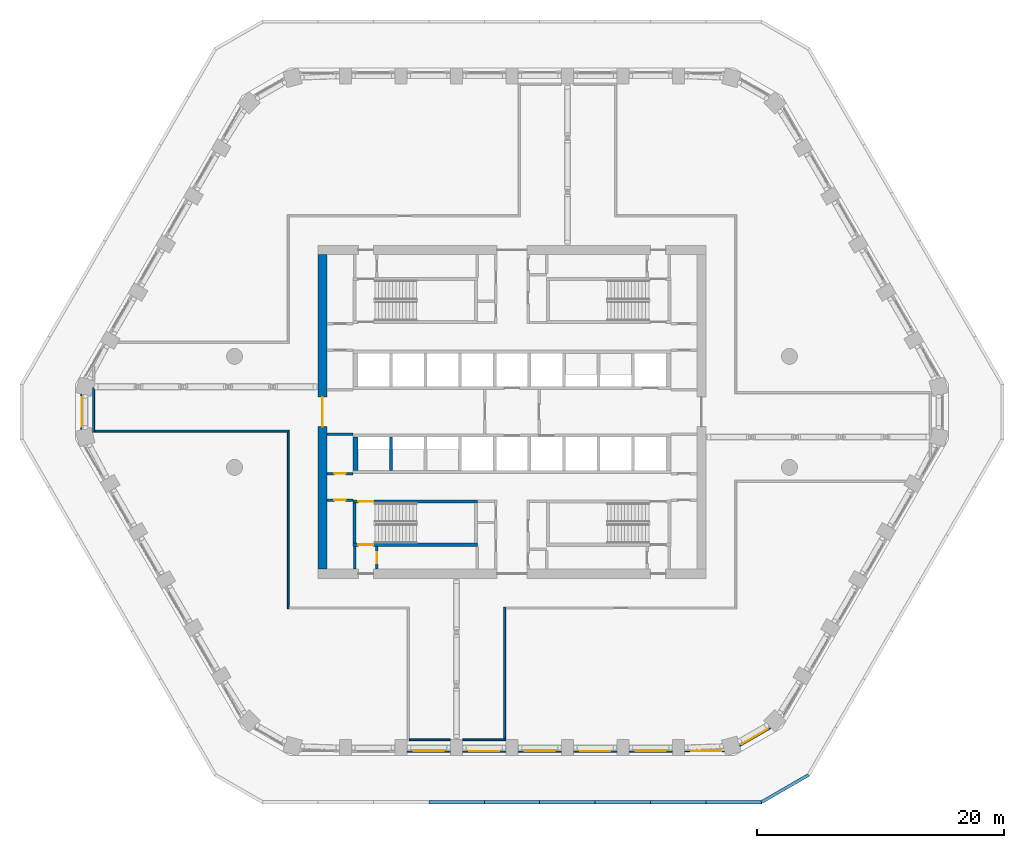
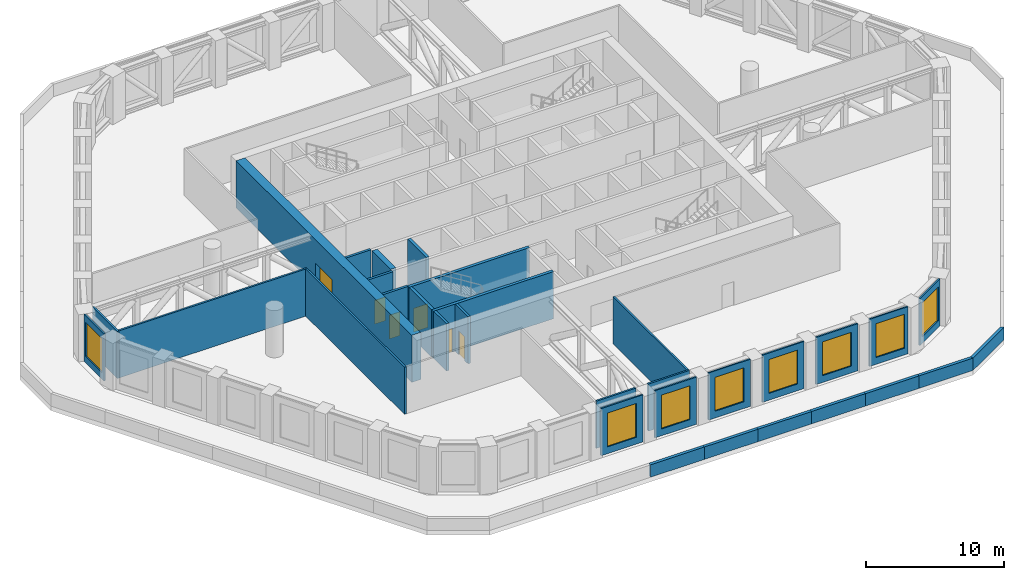
# One storey, part 6 of 18: 32 walls, 8 windows, 6 doors, 14 openings.
"""IFC4 building model written with IfcOpenShell, lengths in metres."""

from ifc_helpers import new_model, si_unit, direction, frame, frame_2d, origin, place, context, subcontext, project, spatial, polyline, rectangle, outline, extrude, material, layer, layer_set, type_object, element, fill, save


model = new_model("IFC4")

# Units and contexts
model_context = context("Model", 3, precision=1e-05, world=origin(), true_north=direction((0.0, 1.0)))
body_context = subcontext(model_context, "Body", "Model", "MODEL_VIEW")
ifc_project = project(units=[si_unit("LENGTHUNIT", "METRE"), si_unit("AREAUNIT", "SQUARE_METRE"), si_unit("VOLUMEUNIT", "CUBIC_METRE"), si_unit("PLANEANGLEUNIT", "RADIAN"), si_unit("MASSUNIT", "GRAM", prefix="KILO")], contexts=[model_context])

# Site, building, storey
site_placement = place(None, origin())
site = spatial("IfcSite", under=ifc_project, at=site_placement, CompositionType="ELEMENT")
building_placement = place(site_placement, origin())
building = spatial("IfcBuilding", under=site, at=building_placement, Name="Dhurran Vertical Campus", CompositionType="ELEMENT")
storey_placement = place(building_placement, frame((0.0, 0.0, 128.10009765625)))
storey = spatial("IfcBuildingStorey", under=building, at=storey_placement, Name="L31 Plant", CompositionType="ELEMENT", Elevation=128.10009765625)

# Wall, opening, window
ifc_material_1 = material(Name="Precast concrete C50/60", Category="concrete")
ifc_layer_1 = layer(ifc_material_1, 0.1201171875)
ifc_layer_set_1 = layer_set([ifc_layer_1], Name="Precast concrete C50/60")
wall_type_1 = type_object("IfcWallType", Name="Precast louvre-bay panel 120", PredefinedType="SOLIDWALL", material=ifc_layer_set_1)
wall_1_placement = place(storey_placement, frame((-8.49951171875, -27.577880859375, 0.0), z_axis=(0.0, 0.0, 1.0), x_axis=(1.0, 0.0, 0.0)))
wall_1 = element("IfcWall", 1, at=wall_1_placement, inside=storey, type_object=wall_type_1, Name="EW4 L31.02", PredefinedType="SOLIDWALL", context=body_context, shape_type="SweptSolid", body=[
    extrude(rectangle(XDim=3.4990234375, YDim=0.1201171875, at=frame_2d((1.74951171875, 0.0))), origin(), (0.0, 0.0, 1.0), 4.1748046875),
])
opening_1_placement = place(wall_1_placement, frame((0.549560546875, 0.0, 0.60009765625)))
opening_1 = element("IfcOpeningElement", 2, at=opening_1_placement, cuts=wall_1, Name="Opening WT4", PredefinedType="OPENING", context=body_context, shape_type="SweptSolid", body=[
    extrude(rectangle(XDim=2.39990234375, YDim=3.0, at=frame_2d((1.199951171875, 1.5))), frame((0.0, 0.070068359375, 0.0), z_axis=(0.0, -1.0, 0.0), x_axis=(1.0, 0.0, 0.0)), (0.0, 0.0, 1.0), 0.14013671875),
])
ifc_material_2 = material(Name="Aluminium louvre", Category="aluminium")
window_type = type_object("IfcWindowType", Name="Louvred plant vent 2400 x 3000", PartitioningType="SINGLE_PANEL", PredefinedType="WINDOW", material=ifc_material_2)
window_1_placement = place(opening_1_placement, origin())
window_1 = element("IfcWindow", 3, at=window_1_placement, inside=storey, type_object=window_type, Name="WT4 L31.02", OverallHeight=3.0, OverallWidth=2.39990234375, PartitioningType="SINGLE_PANEL", PredefinedType="WINDOW", context=body_context, shape_type="SweptSolid", body=[
    extrude(rectangle(XDim=2.39990234375, YDim=3.0, at=frame_2d((1.199951171875, 1.5))), frame((0.0, 0.06005859375, 0.0), z_axis=(0.0, -1.0, 0.0), x_axis=(1.0, 0.0, 0.0)), (0.0, 0.0, 1.0), 0.02001953125),
])
fill(opening_1, window_1)

wall_2_placement = place(storey_placement, frame((-3.99951171875, -27.577880859375, 0.0), z_axis=(0.0, 0.0, 1.0), x_axis=(1.0, 0.0, 0.0)))
wall_2 = element("IfcWall", 4, at=wall_2_placement, inside=storey, type_object=wall_type_1, Name="EW4 L31.03", PredefinedType="SOLIDWALL", context=body_context, shape_type="SweptSolid", body=[
    extrude(rectangle(XDim=3.4990234375, YDim=0.1201171875, at=frame_2d((1.74951171875, 0.0))), origin(), (0.0, 0.0, 1.0), 4.1748046875),
])
opening_2_placement = place(wall_2_placement, frame((0.549560546875, 0.0, 0.60009765625)))
opening_2 = element("IfcOpeningElement", 5, at=opening_2_placement, cuts=wall_2, Name="Opening WT4", PredefinedType="OPENING", context=body_context, shape_type="SweptSolid", body=[
    extrude(rectangle(XDim=2.39990234375, YDim=3.0, at=frame_2d((1.199951171875, 1.5))), frame((0.0, 0.070068359375, 0.0), z_axis=(0.0, -1.0, 0.0), x_axis=(1.0, 0.0, 0.0)), (0.0, 0.0, 1.0), 0.14013671875),
])
window_2_placement = place(opening_2_placement, origin())
window_2 = element("IfcWindow", 6, at=window_2_placement, inside=storey, type_object=window_type, Name="WT4 L31.03", OverallHeight=3.0, OverallWidth=2.39990234375, PartitioningType="SINGLE_PANEL", PredefinedType="WINDOW", context=body_context, shape_type="SweptSolid", body=[
    extrude(rectangle(XDim=2.39990234375, YDim=3.0, at=frame_2d((1.199951171875, 1.5))), frame((0.0, 0.06005859375, 0.0), z_axis=(0.0, -1.0, 0.0), x_axis=(1.0, 0.0, 0.0)), (0.0, 0.0, 1.0), 0.02001953125),
])
fill(opening_2, window_2)

wall_3_placement = place(storey_placement, frame((0.50048828125, -27.577880859375, 0.0), z_axis=(0.0, 0.0, 1.0), x_axis=(1.0, 0.0, 0.0)))
wall_3 = element("IfcWall", 7, at=wall_3_placement, inside=storey, type_object=wall_type_1, Name="EW4 L31.04", PredefinedType="SOLIDWALL", context=body_context, shape_type="SweptSolid", body=[
    extrude(rectangle(XDim=3.4990234375, YDim=0.1201171875, at=frame_2d((1.74951171875, 0.0))), origin(), (0.0, 0.0, 1.0), 4.1748046875),
])
opening_3_placement = place(wall_3_placement, frame((0.549560546875, 0.0, 0.60009765625)))
opening_3 = element("IfcOpeningElement", 8, at=opening_3_placement, cuts=wall_3, Name="Opening WT4", PredefinedType="OPENING", context=body_context, shape_type="SweptSolid", body=[
    extrude(rectangle(XDim=2.39990234375, YDim=3.0, at=frame_2d((1.199951171875, 1.5))), frame((0.0, 0.070068359375, 0.0), z_axis=(0.0, -1.0, 0.0), x_axis=(1.0, 0.0, 0.0)), (0.0, 0.0, 1.0), 0.14013671875),
])
window_3_placement = place(opening_3_placement, origin())
window_3 = element("IfcWindow", 9, at=window_3_placement, inside=storey, type_object=window_type, Name="WT4 L31.04", OverallHeight=3.0, OverallWidth=2.39990234375, PartitioningType="SINGLE_PANEL", PredefinedType="WINDOW", context=body_context, shape_type="SweptSolid", body=[
    extrude(rectangle(XDim=2.39990234375, YDim=3.0, at=frame_2d((1.199951171875, 1.5))), frame((0.0, 0.06005859375, 0.0), z_axis=(0.0, -1.0, 0.0), x_axis=(1.0, 0.0, 0.0)), (0.0, 0.0, 1.0), 0.02001953125),
])
fill(opening_3, window_3)

wall_4_placement = place(storey_placement, frame((5.00048828125, -27.577880859375, 0.0), z_axis=(0.0, 0.0, 1.0), x_axis=(1.0, 0.0, 0.0)))
wall_4 = element("IfcWall", 10, at=wall_4_placement, inside=storey, type_object=wall_type_1, Name="EW4 L31.05", PredefinedType="SOLIDWALL", context=body_context, shape_type="SweptSolid", body=[
    extrude(rectangle(XDim=3.4990234375, YDim=0.1201171875, at=frame_2d((1.74951171875, 0.0))), origin(), (0.0, 0.0, 1.0), 4.1748046875),
])
opening_4_placement = place(wall_4_placement, frame((0.549560546875, 0.0, 0.60009765625)))
opening_4 = element("IfcOpeningElement", 11, at=opening_4_placement, cuts=wall_4, Name="Opening WT4", PredefinedType="OPENING", context=body_context, shape_type="SweptSolid", body=[
    extrude(rectangle(XDim=2.39990234375, YDim=3.0, at=frame_2d((1.199951171875, 1.5))), frame((0.0, 0.070068359375, 0.0), z_axis=(0.0, -1.0, 0.0), x_axis=(1.0, 0.0, 0.0)), (0.0, 0.0, 1.0), 0.14013671875),
])
window_4_placement = place(opening_4_placement, origin())
window_4 = element("IfcWindow", 12, at=window_4_placement, inside=storey, type_object=window_type, Name="WT4 L31.05", OverallHeight=3.0, OverallWidth=2.39990234375, PartitioningType="SINGLE_PANEL", PredefinedType="WINDOW", context=body_context, shape_type="SweptSolid", body=[
    extrude(rectangle(XDim=2.39990234375, YDim=3.0, at=frame_2d((1.199951171875, 1.5))), frame((0.0, 0.06005859375, 0.0), z_axis=(0.0, -1.0, 0.0), x_axis=(1.0, 0.0, 0.0)), (0.0, 0.0, 1.0), 0.02001953125),
])
fill(opening_4, window_4)

wall_5_placement = place(storey_placement, frame((9.50048828125, -27.577880859375, 0.0), z_axis=(0.0, 0.0, 1.0), x_axis=(1.0, 0.0, 0.0)))
wall_5 = element("IfcWall", 13, at=wall_5_placement, inside=storey, type_object=wall_type_1, Name="EW4 L31.06", PredefinedType="SOLIDWALL", context=body_context, shape_type="SweptSolid", body=[
    extrude(rectangle(XDim=3.4990234375, YDim=0.1201171875, at=frame_2d((1.74951171875, 0.0))), origin(), (0.0, 0.0, 1.0), 4.1748046875),
])
opening_5_placement = place(wall_5_placement, frame((0.549560546875, 0.0, 0.60009765625)))
opening_5 = element("IfcOpeningElement", 14, at=opening_5_placement, cuts=wall_5, Name="Opening WT4", PredefinedType="OPENING", context=body_context, shape_type="SweptSolid", body=[
    extrude(rectangle(XDim=2.39990234375, YDim=3.0, at=frame_2d((1.199951171875, 1.5))), frame((0.0, 0.070068359375, 0.0), z_axis=(0.0, -1.0, 0.0), x_axis=(1.0, 0.0, 0.0)), (0.0, 0.0, 1.0), 0.14013671875),
])
window_5_placement = place(opening_5_placement, origin())
window_5 = element("IfcWindow", 15, at=window_5_placement, inside=storey, type_object=window_type, Name="WT4 L31.06", OverallHeight=3.0, OverallWidth=2.39990234375, PartitioningType="SINGLE_PANEL", PredefinedType="WINDOW", context=body_context, shape_type="SweptSolid", body=[
    extrude(rectangle(XDim=2.39990234375, YDim=3.0, at=frame_2d((1.199951171875, 1.5))), frame((0.0, 0.06005859375, 0.0), z_axis=(0.0, -1.0, 0.0), x_axis=(1.0, 0.0, 0.0)), (0.0, 0.0, 1.0), 0.02001953125),
])
fill(opening_5, window_5)

wall_6_placement = place(storey_placement, frame((14.00048828125, -27.538818359375, 0.0), z_axis=(0.0, 0.0, 1.0), x_axis=(1.0, 0.0, 0.0)))
wall_6 = element("IfcWall", 16, at=wall_6_placement, inside=storey, type_object=wall_type_1, Name="EW4 L31.07", PredefinedType="SOLIDWALL", context=body_context, shape_type="SweptSolid", body=[
    extrude(rectangle(XDim=3.218017578125, YDim=0.1201171875, at=frame_2d((1.60888671875, 0.0))), origin(), (0.0, 0.0, 1.0), 4.1748046875),
])
opening_6_placement = place(wall_6_placement, frame((0.549560546875, 0.0, 0.60009765625)))
opening_6 = element("IfcOpeningElement", 17, at=opening_6_placement, cuts=wall_6, Name="Opening WT4", PredefinedType="OPENING", context=body_context, shape_type="SweptSolid", body=[
    extrude(rectangle(XDim=2.39990234375, YDim=3.0, at=frame_2d((1.199951171875, 1.5))), frame((0.0, 0.070068359375, 0.0), z_axis=(0.0, -1.0, 0.0), x_axis=(1.0, 0.0, 0.0)), (0.0, 0.0, 1.0), 0.14013671875),
])
window_6_placement = place(opening_6_placement, origin())
window_6 = element("IfcWindow", 18, at=window_6_placement, inside=storey, type_object=window_type, Name="WT4 L31.07", OverallHeight=3.0, OverallWidth=2.39990234375, PartitioningType="SINGLE_PANEL", PredefinedType="WINDOW", context=body_context, shape_type="SweptSolid", body=[
    extrude(rectangle(XDim=2.39990234375, YDim=3.0, at=frame_2d((1.199951171875, 1.5))), frame((0.0, 0.06005859375, 0.0), z_axis=(0.0, -1.0, 0.0), x_axis=(1.0, 0.0, 0.0)), (0.0, 0.0, 1.0), 0.02001953125),
])
fill(opening_6, window_6)

wall_7_placement = place(storey_placement, frame((18.47607421875, -27.087158203125, 0.0), z_axis=(0.0, 0.0, 1.0), x_axis=(0.866033125095, 0.499986626058, 0.0)))
wall_7 = element("IfcWall", 19, at=wall_7_placement, inside=storey, type_object=wall_type_1, Name="EW4 L31.08", PredefinedType="SOLIDWALL", context=body_context, shape_type="SweptSolid", body=[
    extrude(rectangle(XDim=2.8798828125, YDim=0.1201171875, at=frame_2d((1.43994140625, 0.0))), origin(), (0.0, 0.0, 1.0), 4.1748046875),
])
opening_7_placement = place(wall_7_placement, frame((0.239990234375, 0.0, 0.60009765625)))
opening_7 = element("IfcOpeningElement", 20, at=opening_7_placement, cuts=wall_7, Name="Opening WT4", PredefinedType="OPENING", context=body_context, shape_type="SweptSolid", body=[
    extrude(rectangle(XDim=2.39990234375, YDim=3.0, at=frame_2d((1.199951171875, 1.5))), frame((0.0, 0.070068359375, 0.0), z_axis=(0.0, -1.0, 0.0), x_axis=(1.0, 0.0, 0.0)), (0.0, 0.0, 1.0), 0.14013671875),
])
window_7_placement = place(opening_7_placement, origin())
window_7 = element("IfcWindow", 21, at=window_7_placement, inside=storey, type_object=window_type, Name="WT4 L31.08", OverallHeight=3.0, OverallWidth=2.39990234375, PartitioningType="SINGLE_PANEL", PredefinedType="WINDOW", context=body_context, shape_type="SweptSolid", body=[
    extrude(rectangle(XDim=2.39990234375, YDim=3.0, at=frame_2d((1.199951171875, 1.5))), frame((0.0, 0.06005859375, 0.0), z_axis=(0.0, -1.0, 0.0), x_axis=(1.0, 0.0, 0.0)), (0.0, 0.0, 1.0), 0.02001953125),
])
fill(opening_7, window_7)

wall_8_placement = place(storey_placement, frame((-34.9462890625, 1.43994140625, 0.0), z_axis=(0.0, 0.0, 1.0), x_axis=(0.0, -1.0, 0.0)))
wall_8 = element("IfcWall", 22, at=wall_8_placement, inside=storey, type_object=wall_type_1, Name="EW4 L31.38", PredefinedType="SOLIDWALL", context=body_context, shape_type="SweptSolid", body=[
    extrude(rectangle(XDim=2.8798828125, YDim=0.1201171875, at=frame_2d((1.43994140625, 0.0))), origin(), (0.0, 0.0, 1.0), 4.1748046875),
])
opening_8_placement = place(wall_8_placement, frame((0.239990234375, 0.0, 0.60009765625)))
opening_8 = element("IfcOpeningElement", 23, at=opening_8_placement, cuts=wall_8, Name="Opening WT4", PredefinedType="OPENING", context=body_context, shape_type="SweptSolid", body=[
    extrude(rectangle(XDim=2.39990234375, YDim=3.0, at=frame_2d((1.199951171875, 1.5))), frame((0.0, 0.070068359375, 0.0), z_axis=(0.0, -1.0, 0.0), x_axis=(1.0, 0.0, 0.0)), (0.0, 0.0, 1.0), 0.14013671875),
])
window_8_placement = place(opening_8_placement, origin())
window_8 = element("IfcWindow", 24, at=window_8_placement, inside=storey, type_object=window_type, Name="WT4 L31.38", OverallHeight=3.0, OverallWidth=2.39990234375, PartitioningType="SINGLE_PANEL", PredefinedType="WINDOW", context=body_context, shape_type="SweptSolid", body=[
    extrude(rectangle(XDim=2.39990234375, YDim=3.0, at=frame_2d((1.199951171875, 1.5))), frame((0.0, 0.06005859375, 0.0), z_axis=(0.0, -1.0, 0.0), x_axis=(1.0, 0.0, 0.0)), (0.0, 0.0, 1.0), 0.02001953125),
])
fill(opening_8, window_8)

# Walls
ifc_material_3 = material(Name="Precast concrete C50/60", Category="concrete")
ifc_layer_2 = layer(ifc_material_3, 0.25)
ifc_layer_set_2 = layer_set([ifc_layer_2], Name="Precast concrete C50/60")
wall_type_2 = type_object("IfcWallType", Name="Precast parapet 250", PredefinedType="PARAPET", material=ifc_layer_set_2)
wall_9_placement = place(storey_placement, origin())
element("IfcWall", 25, at=wall_9_placement, inside=storey, type_object=wall_type_2, Name="PW1 L31.03", PredefinedType="PARAPET", context=body_context, shape_type="SweptSolid", body=[
    extrude(outline(polyline([(-6.75, -31.77978515625), (-2.25, -31.77978515625), (-2.25, -31.52978515625), (-6.75, -31.52978515625), (-6.75, -31.77978515625)])), origin(), (0.0, 0.0, 1.0), 1.099853515625),
])
wall_10_placement = place(storey_placement, origin())
element("IfcWall", 26, at=wall_10_placement, inside=storey, type_object=wall_type_2, Name="PW1 L31.04", PredefinedType="PARAPET", context=body_context, shape_type="SweptSolid", body=[
    extrude(outline(polyline([(-2.25, -31.77978515625), (2.25, -31.77978515625), (2.25, -31.52978515625), (-2.25, -31.52978515625), (-2.25, -31.77978515625)])), origin(), (0.0, 0.0, 1.0), 1.099853515625),
])
wall_11_placement = place(storey_placement, origin())
element("IfcWall", 27, at=wall_11_placement, inside=storey, type_object=wall_type_2, Name="PW1 L31.05", PredefinedType="PARAPET", context=body_context, shape_type="SweptSolid", body=[
    extrude(outline(polyline([(2.25, -31.77978515625), (6.75, -31.77978515625), (6.75, -31.52978515625), (2.25, -31.52978515625), (2.25, -31.77978515625)])), origin(), (0.0, 0.0, 1.0), 1.099853515625),
])
wall_12_placement = place(storey_placement, origin())
element("IfcWall", 28, at=wall_12_placement, inside=storey, type_object=wall_type_2, Name="PW1 L31.06", PredefinedType="PARAPET", context=body_context, shape_type="SweptSolid", body=[
    extrude(outline(polyline([(6.75, -31.77978515625), (11.25, -31.77978515625), (11.25, -31.52978515625), (6.75, -31.52978515625), (6.75, -31.77978515625)])), origin(), (0.0, 0.0, 1.0), 1.099853515625),
])
wall_13_placement = place(storey_placement, origin())
element("IfcWall", 29, at=wall_13_placement, inside=storey, type_object=wall_type_2, Name="PW1 L31.07", PredefinedType="PARAPET", context=body_context, shape_type="SweptSolid", body=[
    extrude(outline(polyline([(11.25, -31.77978515625), (15.75, -31.77978515625), (15.75, -31.52978515625), (11.25, -31.52978515625), (11.25, -31.77978515625)])), origin(), (0.0, 0.0, 1.0), 1.099853515625),
])
wall_14_placement = place(storey_placement, origin())
element("IfcWall", 30, at=wall_14_placement, inside=storey, type_object=wall_type_2, Name="PW1 L31.08", PredefinedType="PARAPET", context=body_context, shape_type="SweptSolid", body=[
    extrude(outline(polyline([(15.75, -31.77978515625), (20.25, -31.77978515625), (20.18310546875, -31.52978515625), (15.75, -31.52978515625), (15.75, -31.77978515625)])), origin(), (0.0, 0.0, 1.0), 1.099853515625),
])
wall_15_placement = place(storey_placement, origin())
element("IfcWall", 31, at=wall_15_placement, inside=storey, type_object=wall_type_2, Name="PW1 L31.09", PredefinedType="PARAPET", context=body_context, shape_type="SweptSolid", body=[
    extrude(outline(polyline([(20.25, -31.77978515625), (24.147216796875, -29.52978515625), (23.964111328125, -29.3466796875), (20.18310546875, -31.52978515625), (20.25, -31.77978515625)])), origin(), (0.0, 0.0, 1.0), 1.099853515625),
])

# Wall, opening, door
ifc_material_4 = material(Name="Concrete C60/75", Category="concrete")
ifc_layer_3 = layer(ifc_material_4, 0.75)
ifc_layer_set_3 = layer_set([ifc_layer_3], Name="Concrete C60/75")
wall_type_3 = type_object("IfcWallType", Name="co-CORE-WALL-C1-750", PredefinedType="SHEAR", material=ifc_layer_set_3)
wall_16_placement = place(storey_placement, frame((-15.375, -12.75, 0.0), z_axis=(0.0, 0.0, 1.0), x_axis=(0.0, 1.0, 0.0)))
wall_16 = element("IfcWall", 32, at=wall_16_placement, inside=storey, type_object=wall_type_3, Name="Core wall W L31", PredefinedType="SHEAR", context=body_context, shape_type="SweptSolid", body=[
    extrude(rectangle(XDim=25.5, YDim=0.75, at=frame_2d((12.75, 0.0))), origin(), (0.0, 0.0, 1.0), 4.1748046875),
])
opening_9_placement = place(wall_16_placement, frame((11.550048828125, 0.0, 0.0)))
opening_9 = element("IfcOpeningElement", 33, at=opening_9_placement, cuts=wall_16, Name="Opening CL1", PredefinedType="OPENING", context=body_context, shape_type="SweptSolid", body=[
    extrude(rectangle(XDim=2.39990234375, YDim=2.10009765625, at=frame_2d((1.199951171875, 1.050048828125))), frame((0.0, 0.385009765625, 0.0), z_axis=(0.0, -1.0, 0.0), x_axis=(1.0, 0.0, 0.0)), (0.0, 0.0, 1.0), 0.77001953125),
])
ifc_material_5 = material(Name="Fire-rated glazed door set")
door_type_1 = type_object("IfcDoorType", Name="co-D-LOBBY 2400x2100", OperationType="DOUBLE_DOOR_DOUBLE_SWING", PredefinedType="DOOR", material=ifc_material_5)
door_1_placement = place(opening_9_placement, origin())
door_1 = element("IfcDoor", 34, at=door_1_placement, inside=storey, type_object=door_type_1, Name="Lift lobby door W L31", OperationType="DOUBLE_DOOR_DOUBLE_SWING", OverallHeight=2.10009765625, OverallWidth=2.39990234375, PredefinedType="DOOR", context=body_context, shape_type="SweptSolid", body=[
    extrude(rectangle(XDim=2.39990234375, YDim=2.10009765625, at=frame_2d((1.199951171875, 1.050048828125))), frame((0.0, 0.02490234375, 0.0), z_axis=(0.0, -1.0, 0.0), x_axis=(1.0, 0.0, 0.0)), (0.0, 0.0, 1.0), 0.050048828125),
])
fill(opening_9, door_1)

# Wall
ifc_material_6 = material(Name="Fire-rated masonry blockwork", Category="masonry")
ifc_layer_4 = layer(ifc_material_6, 0.199951171875)
ifc_layer_set_4 = layer_set([ifc_layer_4], Name="Fire-rated masonry blockwork")
wall_type_4 = type_object("IfcWallType", Name="co-FIRE-PARTITION-200", PredefinedType="PARTITIONING", material=ifc_layer_set_4)
wall_17_placement = place(storey_placement, frame((-12.75, -12.75, 0.0), z_axis=(0.0, 0.0, 1.0), x_axis=(0.0, 1.0, 0.0)))
element("IfcWall", 35, at=wall_17_placement, inside=storey, type_object=wall_type_4, Name="Core partition pass-ST3-o L31", PredefinedType="PARTITIONING", context=body_context, shape_type="SweptSolid", body=[
    extrude(rectangle(XDim=1.85009765625, YDim=0.199951171875, at=frame_2d((0.925048828125, 0.0))), origin(), (0.0, 0.0, 1.0), 4.1748046875),
])

# Wall, opening, door
wall_18_placement = place(storey_placement, frame((-10.949951171875, -12.75, 0.0), z_axis=(0.0, 0.0, 1.0), x_axis=(0.0, 1.0, 0.0)))
wall_18 = element("IfcWall", 36, at=wall_18_placement, inside=storey, type_object=wall_type_4, Name="Core partition pass-ST3-i L31", PredefinedType="PARTITIONING", context=body_context, shape_type="SweptSolid", body=[
    extrude(rectangle(XDim=1.85009765625, YDim=0.199951171875, at=frame_2d((0.925048828125, 0.0))), origin(), (0.0, 0.0, 1.0), 4.1748046875),
])
opening_10_placement = place(wall_18_placement, frame((0.47509765625, 0.0, 0.0)))
opening_10 = element("IfcOpeningElement", 37, at=opening_10_placement, cuts=wall_18, Name="Opening BR31-C11", PredefinedType="OPENING", context=body_context, shape_type="SweptSolid", body=[
    extrude(rectangle(XDim=0.89990234375, YDim=2.10009765625, at=frame_2d((0.449951171875, 1.050048828125))), frame((0.0, 0.10986328125, 0.0), z_axis=(0.0, -1.0, 0.0), x_axis=(1.0, 0.0, 0.0)), (0.0, 0.0, 1.0), 0.219970703125),
])
ifc_material_7 = material(Name="Fire-rated timber door set", Category="wood")
door_type_2 = type_object("IfcDoorType", Name="co-D-ROOM 900x2100", OperationType="SINGLE_SWING_LEFT", PredefinedType="DOOR", material=ifc_material_7)
door_2_placement = place(opening_10_placement, origin())
door_2 = element("IfcDoor", 38, at=door_2_placement, inside=storey, type_object=door_type_2, Name="Riser room door L31", OperationType="SINGLE_SWING_LEFT", OverallHeight=2.10009765625, OverallWidth=0.89990234375, PredefinedType="DOOR", context=body_context, shape_type="SweptSolid", body=[
    extrude(rectangle(XDim=0.89990234375, YDim=2.10009765625, at=frame_2d((0.449951171875, 1.050048828125))), frame((0.0, 0.02490234375, 0.0), z_axis=(0.0, -1.0, 0.0), x_axis=(1.0, 0.0, 0.0)), (0.0, 0.0, 1.0), 0.050048828125),
])
fill(opening_10, door_2)

wall_19_placement = place(storey_placement, frame((-15.0, -7.14990234375, 0.0), z_axis=(0.0, 0.0, 1.0), x_axis=(1.0, 0.0, 0.0)))
wall_19 = element("IfcWall", 39, at=wall_19_placement, inside=storey, type_object=wall_type_4, Name="Core partition en-SW-w L31", PredefinedType="PARTITIONING", context=body_context, shape_type="SweptSolid", body=[
    extrude(rectangle(XDim=2.10009765625, YDim=0.199951171875, at=frame_2d((1.050048828125, 0.0))), origin(), (0.0, 0.0, 1.0), 4.1748046875),
])
opening_11_placement = place(wall_19_placement, frame((0.60009765625, 0.0, 0.0)))
opening_11 = element("IfcOpeningElement", 40, at=opening_11_placement, cuts=wall_19, Name="Opening BR31-C17", PredefinedType="OPENING", context=body_context, shape_type="SweptSolid", body=[
    extrude(rectangle(XDim=0.89990234375, YDim=2.10009765625, at=frame_2d((0.449951171875, 1.050048828125))), frame((0.0, 0.10986328125, 0.0), z_axis=(0.0, -1.0, 0.0), x_axis=(1.0, 0.0, 0.0)), (0.0, 0.0, 1.0), 0.219970703125),
])
door_3_placement = place(opening_11_placement, origin())
door_3 = element("IfcDoor", 41, at=door_3_placement, inside=storey, type_object=door_type_2, Name="Heat exchanger plant room door L31", OperationType="SINGLE_SWING_LEFT", OverallHeight=2.10009765625, OverallWidth=0.89990234375, PredefinedType="DOOR", context=body_context, shape_type="SweptSolid", body=[
    extrude(rectangle(XDim=0.89990234375, YDim=2.10009765625, at=frame_2d((0.449951171875, 1.050048828125))), frame((0.0, 0.02490234375, 0.0), z_axis=(0.0, -1.0, 0.0), x_axis=(1.0, 0.0, 0.0)), (0.0, 0.0, 1.0), 0.050048828125),
])
fill(opening_11, door_3)

wall_20_placement = place(storey_placement, frame((-15.0, -5.0, 0.0), z_axis=(0.0, 0.0, 1.0), x_axis=(1.0, 0.0, 0.0)))
wall_20 = element("IfcWall", 42, at=wall_20_placement, inside=storey, type_object=wall_type_4, Name="Core partition es-SW-w L31", PredefinedType="PARTITIONING", context=body_context, shape_type="SweptSolid", body=[
    extrude(rectangle(XDim=2.10009765625, YDim=0.199951171875, at=frame_2d((1.050048828125, 0.0))), origin(), (0.0, 0.0, 1.0), 4.1748046875),
])
opening_12_placement = place(wall_20_placement, frame((0.60009765625, 0.0, 0.0)))
opening_12 = element("IfcOpeningElement", 43, at=opening_12_placement, cuts=wall_20, Name="Opening BR31-C18", PredefinedType="OPENING", context=body_context, shape_type="SweptSolid", body=[
    extrude(rectangle(XDim=0.89990234375, YDim=2.10009765625, at=frame_2d((0.449951171875, 1.050048828125))), frame((0.0, 0.10986328125, 0.0), z_axis=(0.0, -1.0, 0.0), x_axis=(1.0, 0.0, 0.0)), (0.0, 0.0, 1.0), 0.219970703125),
])
door_4_placement = place(opening_12_placement, origin())
door_4 = element("IfcDoor", 44, at=door_4_placement, inside=storey, type_object=door_type_2, Name="Water tank room door L31", OperationType="SINGLE_SWING_LEFT", OverallHeight=2.10009765625, OverallWidth=0.89990234375, PredefinedType="DOOR", context=body_context, shape_type="SweptSolid", body=[
    extrude(rectangle(XDim=0.89990234375, YDim=2.10009765625, at=frame_2d((0.449951171875, 1.050048828125))), frame((0.0, 0.02490234375, 0.0), z_axis=(0.0, -1.0, 0.0), x_axis=(1.0, 0.0, 0.0)), (0.0, 0.0, 1.0), 0.050048828125),
])
fill(opening_12, door_4)

# Walls
wall_21_placement = place(storey_placement, frame((-15.0, -1.800048828125, 0.0), z_axis=(0.0, 0.0, 1.0), x_axis=(1.0, 0.0, 0.0)))
element("IfcWall", 45, at=wall_21_placement, inside=storey, type_object=wall_type_4, Name="Core partition es-SW-l L31", PredefinedType="PARTITIONING", context=body_context, shape_type="SweptSolid", body=[
    extrude(rectangle(XDim=2.10009765625, YDim=0.199951171875, at=frame_2d((1.050048828125, 0.0))), origin(), (0.0, 0.0, 1.0), 4.1748046875),
])
ifc_material_8 = material(Name="Concrete C50/60", Category="concrete")
ifc_layer_5 = layer(ifc_material_8, 0.25)
ifc_layer_set_5 = layer_set([ifc_layer_5], Name="Concrete C50/60")
wall_type_5 = type_object("IfcWallType", Name="co-SHAFT-MASS-250", PredefinedType="SHEAR", material=ifc_layer_set_5)
wall_22_placement = place(storey_placement, origin())
element("IfcWall", 46, at=wall_22_placement, inside=storey, type_object=wall_type_5, Name="Lift shaft wall S L31 2", PredefinedType="SHEAR", context=body_context, shape_type="SweptSolid", body=[
    extrude(outline(polyline([(-12.89990234375, -4.75), (-12.47509765625, -4.75), (-12.47509765625, -2.050048828125), (-12.89990234375, -2.050048828125), (-12.89990234375, -4.75)])), origin(), (0.0, 0.0, 1.0), 4.1748046875),
])
wall_23_placement = place(storey_placement, origin())
element("IfcWall", 47, at=wall_23_placement, inside=storey, type_object=wall_type_5, Name="Lift shaft wall S L31 3", PredefinedType="SHEAR", context=body_context, shape_type="SweptSolid", body=[
    extrude(outline(polyline([(-9.925048828125, -4.75), (-9.675048828125, -4.75), (-9.675048828125, -2.050048828125), (-9.925048828125, -2.050048828125), (-9.925048828125, -4.75)])), origin(), (0.0, 0.0, 1.0), 4.1748046875),
])

# Wall, opening, door
ifc_material_9 = material(Name="Concrete C40/50", Category="concrete")
ifc_layer_6 = layer(ifc_material_9, 0.25)
ifc_layer_set_6 = layer_set([ifc_layer_6], Name="Concrete C40/50")
wall_type_6 = type_object("IfcWallType", Name="co-STAIR-WALL-250", PredefinedType="SHEAR", material=ifc_layer_set_6)
wall_24_placement = place(storey_placement, frame((-12.89990234375, -10.77490234375, 0.0), z_axis=(0.0, 0.0, 1.0), x_axis=(1.0, 0.0, 0.0)))
wall_24 = element("IfcWall", 48, at=wall_24_placement, inside=storey, type_object=wall_type_6, Name="Stair ST3 enclosure wall L31", PredefinedType="SHEAR", context=body_context, shape_type="SweptSolid", body=[
    extrude(rectangle(XDim=10.099853515625, YDim=0.25, at=frame_2d((5.0498046875, 0.0))), origin(), (0.0, 0.0, 1.0), 4.1748046875),
])
opening_13_placement = place(wall_24_placement, frame((0.449951171875, 0.0, 0.0)))
opening_13 = element("IfcOpeningElement", 49, at=opening_13_placement, cuts=wall_24, Name="Opening XS3", PredefinedType="OPENING", context=body_context, shape_type="SweptSolid", body=[
    extrude(rectangle(XDim=1.199951171875, YDim=2.10009765625, at=frame_2d((0.60009765625, 1.050048828125))), frame((0.0, 0.135009765625, 0.0), z_axis=(0.0, -1.0, 0.0), x_axis=(1.0, 0.0, 0.0)), (0.0, 0.0, 1.0), 0.27001953125),
])
ifc_material_10 = material(Name="Fire-rated steel door set", Category="steel")
door_type_3 = type_object("IfcDoorType", Name="co-D-STAIR-EXIT 1200x2100", OperationType="SINGLE_SWING_RIGHT", PredefinedType="DOOR", material=ifc_material_10)
door_5_placement = place(opening_13_placement, origin())
door_5 = element("IfcDoor", 50, at=door_5_placement, inside=storey, type_object=door_type_3, Name="Stair ST3 discharge door L31", OperationType="SINGLE_SWING_RIGHT", OverallHeight=2.10009765625, OverallWidth=1.199951171875, PredefinedType="DOOR", context=body_context, shape_type="SweptSolid", body=[
    extrude(rectangle(XDim=1.199951171875, YDim=2.10009765625, at=frame_2d((0.60009765625, 1.050048828125))), frame((0.0, 0.02490234375, 0.0), z_axis=(0.0, -1.0, 0.0), x_axis=(1.0, 0.0, 0.0)), (0.0, 0.0, 1.0), 0.050048828125),
])
fill(opening_13, door_5)

wall_25_placement = place(storey_placement, frame((-12.89990234375, -7.27490234375, 0.0), z_axis=(0.0, 0.0, 1.0), x_axis=(1.0, 0.0, 0.0)))
wall_25 = element("IfcWall", 51, at=wall_25_placement, inside=storey, type_object=wall_type_6, Name="Stair ST3 enclosure wall L31", PredefinedType="SHEAR", context=body_context, shape_type="SweptSolid", body=[
    extrude(rectangle(XDim=10.099853515625, YDim=0.25, at=frame_2d((5.0498046875, 0.0))), origin(), (0.0, 0.0, 1.0), 4.1748046875),
])
opening_14_placement = place(wall_25_placement, frame((0.449951171875, 0.0, 0.0)))
opening_14 = element("IfcOpeningElement", 52, at=opening_14_placement, cuts=wall_25, Name="Opening SD3", PredefinedType="OPENING", context=body_context, shape_type="SweptSolid", body=[
    extrude(rectangle(XDim=1.199951171875, YDim=2.10009765625, at=frame_2d((0.60009765625, 1.050048828125))), frame((0.0, 0.135009765625, 0.0), z_axis=(0.0, -1.0, 0.0), x_axis=(1.0, 0.0, 0.0)), (0.0, 0.0, 1.0), 0.27001953125),
])
ifc_material_11 = material(Name="Fire-rated steel door set", Category="steel")
door_type_4 = type_object("IfcDoorType", Name="co-D-STAIR 1200x2100", OperationType="SINGLE_SWING_LEFT", PredefinedType="DOOR", material=ifc_material_11)
door_6_placement = place(opening_14_placement, origin())
door_6 = element("IfcDoor", 53, at=door_6_placement, inside=storey, type_object=door_type_4, Name="Stair ST3 door L31", OperationType="SINGLE_SWING_LEFT", OverallHeight=2.10009765625, OverallWidth=1.199951171875, PredefinedType="DOOR", context=body_context, shape_type="SweptSolid", body=[
    extrude(rectangle(XDim=1.199951171875, YDim=2.10009765625, at=frame_2d((0.60009765625, 1.050048828125))), frame((0.0, 0.02490234375, 0.0), z_axis=(0.0, -1.0, 0.0), x_axis=(1.0, 0.0, 0.0)), (0.0, 0.0, 1.0), 0.050048828125),
])
fill(opening_14, door_6)

# Walls
wall_26_placement = place(storey_placement, frame((-12.77490234375, -10.64990234375, 0.0), z_axis=(0.0, 0.0, 1.0), x_axis=(0.0, 1.0, 0.0)))
element("IfcWall", 54, at=wall_26_placement, inside=storey, type_object=wall_type_6, Name="Stair ST3 enclosure wall L31", PredefinedType="SHEAR", context=body_context, shape_type="SweptSolid", body=[
    extrude(rectangle(XDim=3.25, YDim=0.25, at=frame_2d((1.625, 0.0))), origin(), (0.0, 0.0, 1.0), 4.1748046875),
])
ifc_material_12 = material(Name="Gypsum board corridor wall on steel studs", Category="steel")
ifc_layer_7 = layer(ifc_material_12, 0.14990234375)
ifc_layer_set_7 = layer_set([ifc_layer_7], Name="Gypsum board corridor wall on steel studs")
wall_type_7 = type_object("IfcWallType", Name="fl-CW-150 corridor wall", PredefinedType="PARTITIONING", material=ifc_layer_set_7)
wall_27_placement = place(storey_placement, frame((-33.927978515625, -1.637939453125, 0.0), z_axis=(0.0, 0.0, 1.0), x_axis=(0.0, 1.0, 0.0)))
element("IfcWall", 55, at=wall_27_placement, inside=storey, type_object=wall_type_7, Name="Partition 31-01", PredefinedType="PARTITIONING", context=body_context, shape_type="SweptSolid", body=[
    extrude(rectangle(XDim=3.59765625, YDim=0.14990234375, at=frame_2d((1.798828125, 0.0))), origin(), (0.0, 0.0, 1.0), 4.1748046875),
])
wall_28_placement = place(storey_placement, frame((-18.074951171875, -1.56298828125, 0.0), z_axis=(0.0, 0.0, 1.0), x_axis=(-1.0, 0.0, 0.0)))
element("IfcWall", 56, at=wall_28_placement, inside=storey, type_object=wall_type_7, Name="Partition 31-03", PredefinedType="PARTITIONING", context=body_context, shape_type="SweptSolid", body=[
    extrude(rectangle(XDim=15.778076171875, YDim=0.14990234375, at=frame_2d((7.88916015625, 0.0))), origin(), (0.0, 0.0, 1.0), 4.1748046875),
])
wall_29_placement = place(storey_placement, frame((-18.14990234375, -1.637939453125, 0.0), z_axis=(0.0, 0.0, 1.0), x_axis=(0.0, -1.0, 0.0)))
element("IfcWall", 57, at=wall_29_placement, inside=storey, type_object=wall_type_7, Name="Partition 31-05", PredefinedType="PARTITIONING", context=body_context, shape_type="SweptSolid", body=[
    extrude(rectangle(XDim=14.337158203125, YDim=0.14990234375, at=frame_2d((7.16845703125, 0.0))), origin(), (0.0, 0.0, 1.0), 4.1748046875),
])
wall_30_placement = place(storey_placement, frame((-0.52490234375, -26.5830078125, 0.0), z_axis=(0.0, 0.0, 1.0), x_axis=(-1.0, 0.0, 0.0)))
element("IfcWall", 58, at=wall_30_placement, inside=storey, type_object=wall_type_7, Name="Partition 31-10", PredefinedType="PARTITIONING", context=body_context, shape_type="SweptSolid", body=[
    extrude(rectangle(XDim=3.455078125, YDim=0.14990234375, at=frame_2d((1.7275390625, 0.0))), origin(), (0.0, 0.0, 1.0), 4.1748046875),
])
wall_31_placement = place(storey_placement, frame((-5.02001953125, -26.5830078125, 0.0), z_axis=(0.0, 0.0, 1.0), x_axis=(-1.0, 0.0, 0.0)))
element("IfcWall", 59, at=wall_31_placement, inside=storey, type_object=wall_type_7, Name="Partition 31-11", PredefinedType="PARTITIONING", context=body_context, shape_type="SweptSolid", body=[
    extrude(rectangle(XDim=3.304931640625, YDim=0.14990234375, at=frame_2d((1.65234375, 0.0))), origin(), (0.0, 0.0, 1.0), 4.1748046875),
])
wall_32_placement = place(storey_placement, frame((-0.60009765625, -15.824951171875, 0.0), z_axis=(0.0, 0.0, 1.0), x_axis=(0.0, -1.0, 0.0)))
element("IfcWall", 60, at=wall_32_placement, inside=storey, type_object=wall_type_7, Name="Partition 31-12", PredefinedType="PARTITIONING", context=body_context, shape_type="SweptSolid", body=[
    extrude(rectangle(XDim=10.68310546875, YDim=0.14990234375, at=frame_2d((5.341552734375, 0.0))), origin(), (0.0, 0.0, 1.0), 4.1748046875),
])

save(model, "model.ifc")
